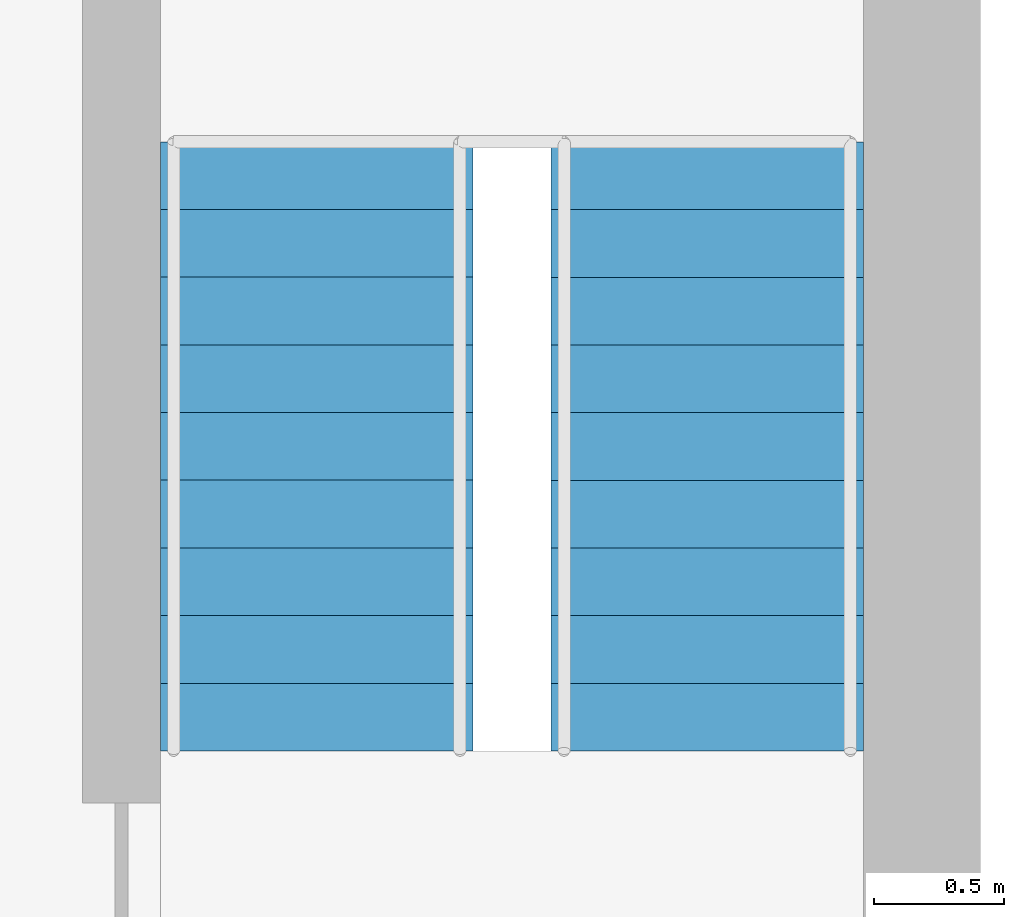
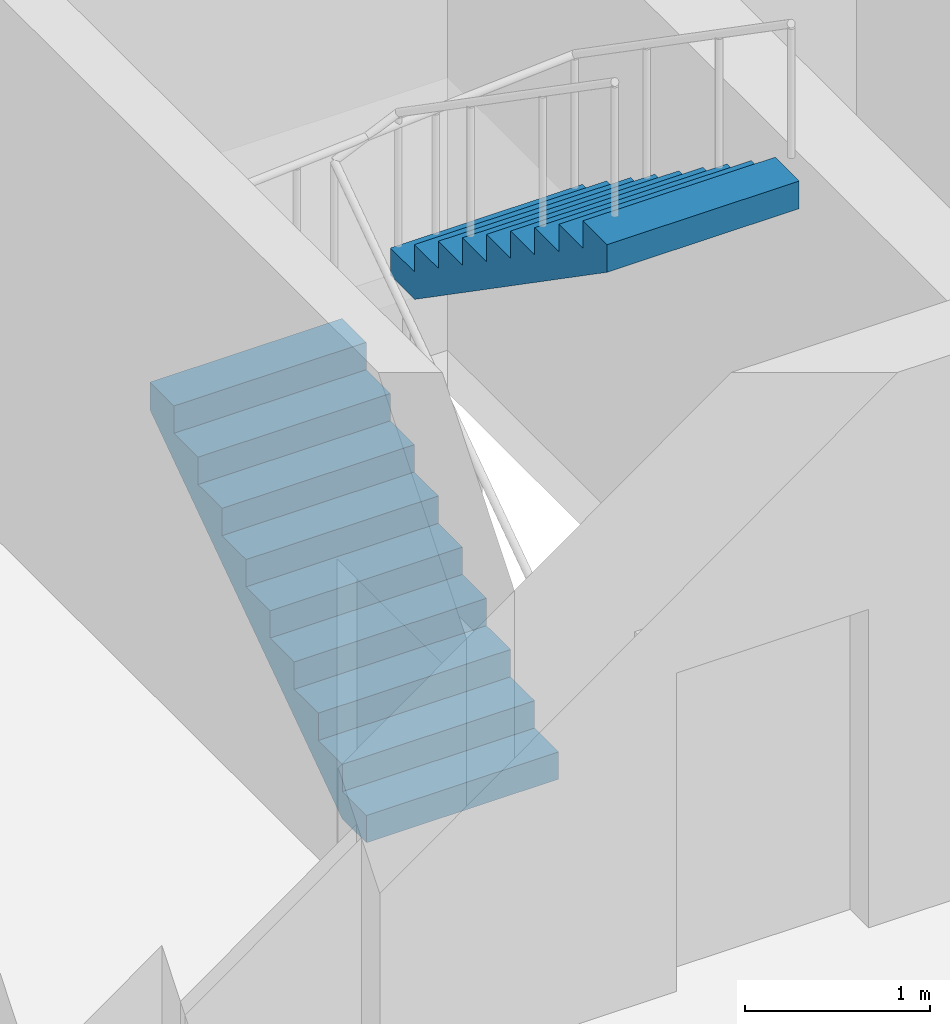
# One storey, part 10 of 15: 2 stair flights, 1 element without a shape of its own.
"""IFC4 building model written with IfcOpenShell, lengths in metres."""

from ifc_helpers import new_model, si_unit, direction, frame, origin, place, context, subcontext, project, spatial, polyline, outline, extrude, material, type_object, element, aggregate, save


model = new_model("IFC4")

# Units and contexts
model_context = context("Model", 3, precision=1e-05, world=origin(), true_north=direction((0.0, 1.0)))
body_context = subcontext(model_context, "Body", "Model", "MODEL_VIEW")
ifc_project = project(units=[si_unit("LENGTHUNIT", "METRE"), si_unit("AREAUNIT", "SQUARE_METRE"), si_unit("VOLUMEUNIT", "CUBIC_METRE"), si_unit("PLANEANGLEUNIT", "RADIAN"), si_unit("MASSUNIT", "GRAM", prefix="KILO")], contexts=[model_context])

# Site, building, storey
site_placement = place(None, origin())
site = spatial("IfcSite", under=ifc_project, at=site_placement, CompositionType="ELEMENT")
building_placement = place(site_placement, origin())
building = spatial("IfcBuilding", under=site, at=building_placement, Name="Torana Hotel and Residences", CompositionType="ELEMENT")
storey_placement = place(building_placement, frame((0.0, 0.0, 67.199951171875)))
storey = spatial("IfcBuildingStorey", under=building, at=storey_placement, Name="L16", CompositionType="ELEMENT", Elevation=67.199951171875)

# Stair, stair flights
ifc_material_1 = material(Name="Concrete C40/50 precast", Category="concrete")
stair_type = type_object("IfcStairType", Name="STAIR ST4 HALF TURN 1200", PredefinedType="HALF_TURN_STAIR", material=ifc_material_1)
stair_placement = place(storey_placement, origin())
stair = element("IfcStair", 1, at=stair_placement, inside=storey, type_object=stair_type, Name="Stair ST4 L16", PredefinedType="HALF_TURN_STAIR")
ifc_material_2 = material(Name="Concrete C40/50 precast", Category="concrete")
stair_flight_type = type_object("IfcStairFlightType", Name="STAIR FLIGHT 1200 PRECAST", PredefinedType="STRAIGHT", material=ifc_material_2)
stair_flight_1_placement = place(storey_placement, frame((16.949951171875, -12.949951171875, 0.0), z_axis=(0.0, 0.0, 1.0), x_axis=(0.0, 1.0, 0.0)))
stair_flight_1 = element("IfcStairFlight", 2, at=stair_flight_1_placement, type_object=stair_flight_type, Name="ST4 flight 1", NumberOfRisers=10, NumberOfTreads=9, PredefinedType="STRAIGHT", RiserHeight=0.18, TreadLength=0.26, context=body_context, shape_type="SweptSolid", body=[
    extrude(outline(polyline([(0.0, 0.0), (0.0, 0.179931640625), (0.260009765625, 0.179931640625), (0.260009765625, 0.360107421875), (0.52001953125, 0.360107421875), (0.52001953125, 0.5400390625), (0.780029296875, 0.5400390625), (0.780029296875, 0.719970703125), (1.0400390625, 0.719970703125), (1.0400390625, 0.89990234375), (1.300048828125, 0.89990234375), (1.300048828125, 1.080078125), (1.56005859375, 1.080078125), (1.56005859375, 1.260009765625), (1.820068359375, 1.260009765625), (1.820068359375, 1.43994140625), (2.080078125, 1.43994140625), (2.080078125, 1.6201171875), (2.340087890625, 1.6201171875), (2.340087890625, 1.800048828125), (2.340087890625, 1.437744140625), (0.263427734375, 0.0), (0.0, 0.0)])), frame((0.0, 0.60009765625, 0.0), z_axis=(0.0, -1.0, 0.0), x_axis=(1.0, 0.0, 0.0)), (0.0, 0.0, 1.0), 1.199951171875),
])
stair_flight_2_placement = place(storey_placement, frame((18.449951171875, -10.610107421875, 1.800048828125), z_axis=(0.0, 0.0, 1.0), x_axis=(0.0, -1.0, 0.0)))
stair_flight_2 = element("IfcStairFlight", 3, at=stair_flight_2_placement, type_object=stair_flight_type, Name="ST4 flight 2", NumberOfRisers=10, NumberOfTreads=9, PredefinedType="STRAIGHT", RiserHeight=0.18, TreadLength=0.26, context=body_context, shape_type="SweptSolid", body=[
    extrude(outline(polyline([(0.0, 0.0), (0.0, 0.179931640625), (0.260009765625, 0.179931640625), (0.260009765625, 0.360107421875), (0.52001953125, 0.360107421875), (0.52001953125, 0.5400390625), (0.780029296875, 0.5400390625), (0.780029296875, 0.719970703125), (1.0400390625, 0.719970703125), (1.0400390625, 0.89990234375), (1.300048828125, 0.89990234375), (1.300048828125, 1.080078125), (1.56005859375, 1.080078125), (1.56005859375, 1.260009765625), (1.820068359375, 1.260009765625), (1.820068359375, 1.43994140625), (2.080078125, 1.43994140625), (2.080078125, 1.6201171875), (2.340087890625, 1.6201171875), (2.340087890625, 1.800048828125), (2.340087890625, 1.437744140625), (0.263427734375, 0.0), (0.0, 0.0)])), frame((0.0, 0.60009765625, 0.0), z_axis=(0.0, -1.0, 0.0), x_axis=(1.0, 0.0, 0.0)), (0.0, 0.0, 1.0), 1.199951171875),
])
aggregate(stair, [stair_flight_1, stair_flight_2])

save(model, "model.ifc")
